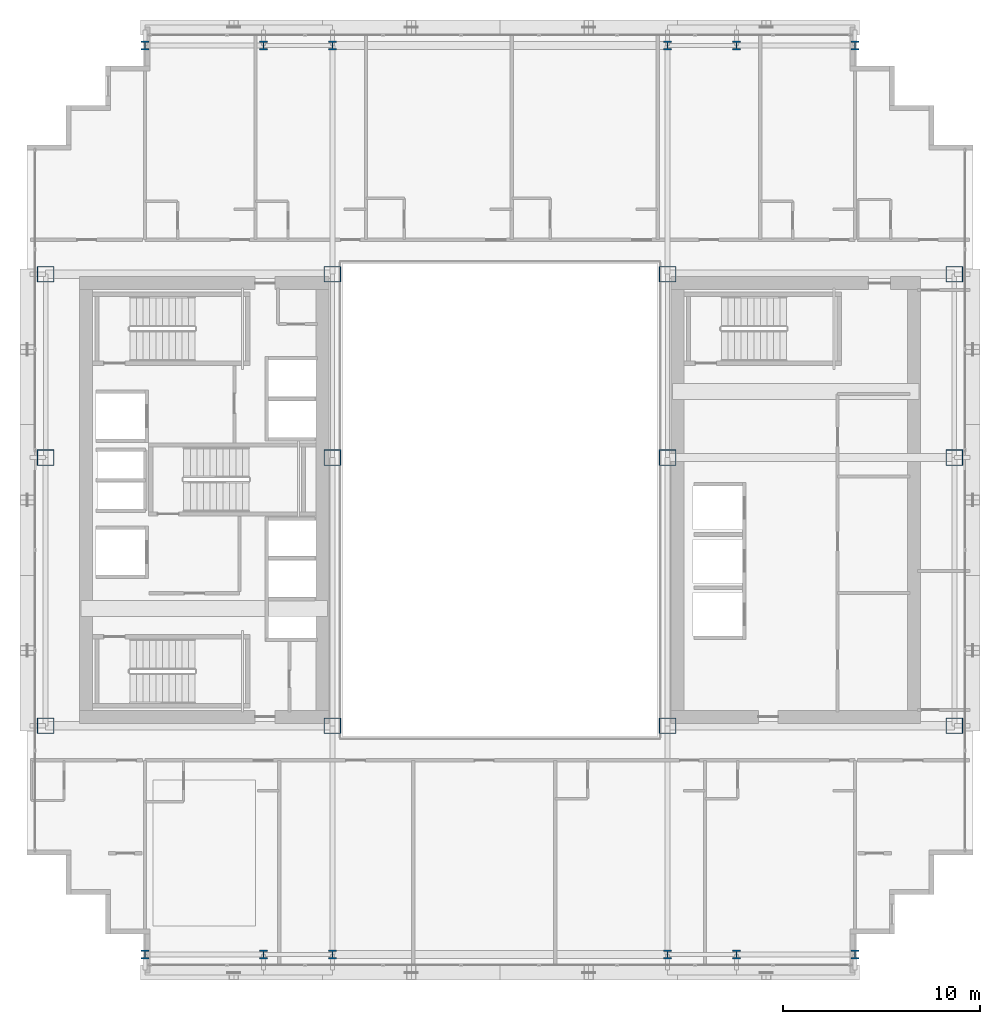
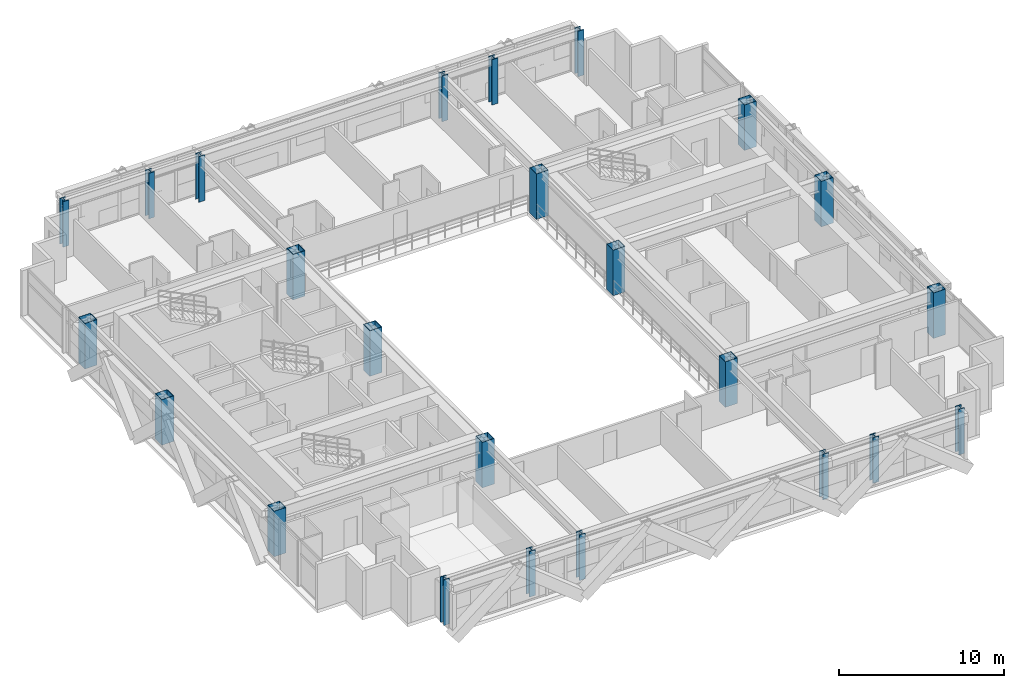
# One storey, part 1 of 35: 24 columns.
"""IFC4 building model written with IfcOpenShell, lengths in metres."""

from ifc_helpers import new_model, si_unit, direction, frame, origin, origin_2d, place, context, subcontext, project, spatial, hollow_rectangle, i_section, extrude, source, transform, mapped, material, material_profile, profile_set, type_object, element, save


model = new_model("IFC4")

# Units and contexts
model_context = context("Model", 3, precision=1e-05, world=origin(), true_north=direction((0.0, 1.0)))
body_context = subcontext(model_context, "Body", "Model", "MODEL_VIEW")
ifc_project = project(units=[si_unit("LENGTHUNIT", "METRE"), si_unit("AREAUNIT", "SQUARE_METRE"), si_unit("VOLUMEUNIT", "CUBIC_METRE"), si_unit("PLANEANGLEUNIT", "RADIAN"), si_unit("MASSUNIT", "GRAM", prefix="KILO")], contexts=[model_context])

# Site, building, storey
site_placement = place(None, origin())
site = spatial("IfcSite", under=ifc_project, at=site_placement, CompositionType="ELEMENT")
building_placement = place(site_placement, origin())
building = spatial("IfcBuilding", under=site, at=building_placement, Name="Ocotamira Hotel", CompositionType="ELEMENT")
storey_placement = place(building_placement, frame((0.0, 0.0, 140.39990234375)))
storey = spatial("IfcBuildingStorey", under=building, at=storey_placement, Name="L35", CompositionType="ELEMENT", Elevation=140.39990234375)

# Columns
ifc_material = material(Name="Steel ASTM A913 Grade 65", Category="steel")
ifc_material_profile_1 = material_profile(ifc_material, hollow_rectangle(XDim=0.85009765625, YDim=0.800048828125, WallThickness=0.031982421875, at=origin_2d()), Name="BOX800X850X32")
ifc_profile_set_1 = profile_set([ifc_material_profile_1], Name="Steel ASTM A913 Grade 65")
column_type_1 = type_object("IfcColumnType", Name="COL-BOX800", PredefinedType="COLUMN", material=ifc_profile_set_1)
shared_shape_1 = source(origin(), body_context, "Body", "SweptSolid", [
    extrude(hollow_rectangle(XDim=0.85009765625, YDim=0.800048828125, WallThickness=0.031982421875, at=origin_2d()), origin(), (0.0, 0.0, 1.0), 3.360107421875),
])
for number, where, z_axis, x_axis, name in (
    (1, (8.949951171875, 14.550048828125, 0.0), (0.0, 0.0, 1.0), (1.0, 0.0, 0.0), "L35 Column TW8_14"),
    (2, (23.5, 14.550048828125, 0.0), (0.0, 0.0, 1.0), (1.0, 0.0, 0.0), "L35 Column TW23_14"),
    (3, (40.5, 14.550048828125, 0.0), (0.0, 0.0, 1.0), (1.0, 0.0, 0.0), "L35 Column TE40_14"),
    (4, (55.050048828125, 14.550048828125, 0.0), (0.0, 0.0, 1.0), (1.0, 0.0, 0.0), "L35 Column TE55_14"),
    (5, (8.949951171875, 28.14990234375, 0.0), (0.0, 0.0, 1.0), (1.0, 0.0, 0.0), "L35 Column TW8_28"),
    (6, (23.5, 28.14990234375, 0.0), (0.0, 0.0, 1.0), (1.0, 0.0, 0.0), "L35 Column TW23_28"),
    (7, (40.5, 28.14990234375, 0.0), (0.0, 0.0, 1.0), (1.0, 0.0, 0.0), "L35 Column TE40_28"),
    (8, (55.050048828125, 28.14990234375, 0.0), (0.0, 0.0, 1.0), (1.0, 0.0, 0.0), "L35 Column TE55_28"),
    (9, (8.949951171875, 37.449951171875, 0.0), (0.0, 0.0, 1.0), (1.0, 0.0, 0.0), "L35 Column TW8_37"),
    (10, (23.5, 37.449951171875, 0.0), (0.0, 0.0, 1.0), (1.0, 0.0, 0.0), "L35 Column TW23_37"),
    (11, (40.5, 37.449951171875, 0.0), (0.0, 0.0, 1.0), (1.0, 0.0, 0.0), "L35 Column TE40_37"),
    (12, (55.050048828125, 37.449951171875, 0.0), (0.0, 0.0, 1.0), (1.0, 0.0, 0.0), "L35 Column TE55_37"),
):
    element("IfcColumn", number, at=place(storey_placement, frame(where, z_axis=z_axis, x_axis=x_axis)), inside=storey, type_object=column_type_1, Name=name, PredefinedType="COLUMN", context=body_context, shape_type="MappedRepresentation", body=[
        mapped(shared_shape_1, transform((0.0, 0.0, 0.0), scale=1.0)),
    ])
ifc_material_profile_2 = material_profile(ifc_material, i_section(OverallWidth=0.412109375, OverallDepth=0.43505859375, WebThickness=0.035888671875, FlangeThickness=0.057373046875, FilletRadius=0.02490234375, at=origin_2d()), Name="W14X311")
ifc_profile_set_2 = profile_set([ifc_material_profile_2], Name="Steel ASTM A913 Grade 65")
column_type_2 = type_object("IfcColumnType", Name="COL-W14X311", PredefinedType="COLUMN", material=ifc_profile_set_2)
shared_shape_2 = source(origin(), body_context, "Body", "SweptSolid", [
    extrude(i_section(OverallWidth=0.412109375, OverallDepth=0.43505859375, WebThickness=0.035888671875, FlangeThickness=0.057373046875, FilletRadius=0.02490234375, at=origin_2d()), origin(), (0.0, 0.0, 1.0), 3.360107421875),
])
for number, where, z_axis, x_axis, name in (
    (13, (14.0, 2.949951171875, 0.0), (0.0, 0.0, 1.0), (1.0, 0.0, 0.0), "L35 Column NSP1_14"),
    (14, (20.0, 2.949951171875, 0.0), (0.0, 0.0, 1.0), (1.0, 0.0, 0.0), "L35 Column NSP1_20"),
    (15, (23.5, 2.949951171875, 0.0), (0.0, 0.0, 1.0), (1.0, 0.0, 0.0), "L35 Column NSP1_23"),
    (16, (40.5, 2.949951171875, 0.0), (0.0, 0.0, 1.0), (1.0, 0.0, 0.0), "L35 Column NSP1_40"),
    (17, (44.0, 2.949951171875, 0.0), (0.0, 0.0, 1.0), (1.0, 0.0, 0.0), "L35 Column NSP1_44"),
    (18, (50.0, 2.949951171875, 0.0), (0.0, 0.0, 1.0), (1.0, 0.0, 0.0), "L35 Column NSP1_50"),
    (19, (14.0, 49.050048828125, 0.0), (0.0, 0.0, 1.0), (1.0, 0.0, 0.0), "L35 Column NSP2_14"),
    (20, (20.0, 49.050048828125, 0.0), (0.0, 0.0, 1.0), (1.0, 0.0, 0.0), "L35 Column NSP2_20"),
    (21, (23.5, 49.050048828125, 0.0), (0.0, 0.0, 1.0), (1.0, 0.0, 0.0), "L35 Column NSP2_23"),
    (22, (40.5, 49.050048828125, 0.0), (0.0, 0.0, 1.0), (1.0, 0.0, 0.0), "L35 Column NSP2_40"),
    (23, (44.0, 49.050048828125, 0.0), (0.0, 0.0, 1.0), (1.0, 0.0, 0.0), "L35 Column NSP2_44"),
    (24, (50.0, 49.050048828125, 0.0), (0.0, 0.0, 1.0), (1.0, 0.0, 0.0), "L35 Column NSP2_50"),
):
    element("IfcColumn", number, at=place(storey_placement, frame(where, z_axis=z_axis, x_axis=x_axis)), inside=storey, type_object=column_type_2, Name=name, PredefinedType="COLUMN", context=body_context, shape_type="MappedRepresentation", body=[
        mapped(shared_shape_2, transform((0.0, 0.0, 0.0), scale=1.0)),
    ])

save(model, "model.ifc")
